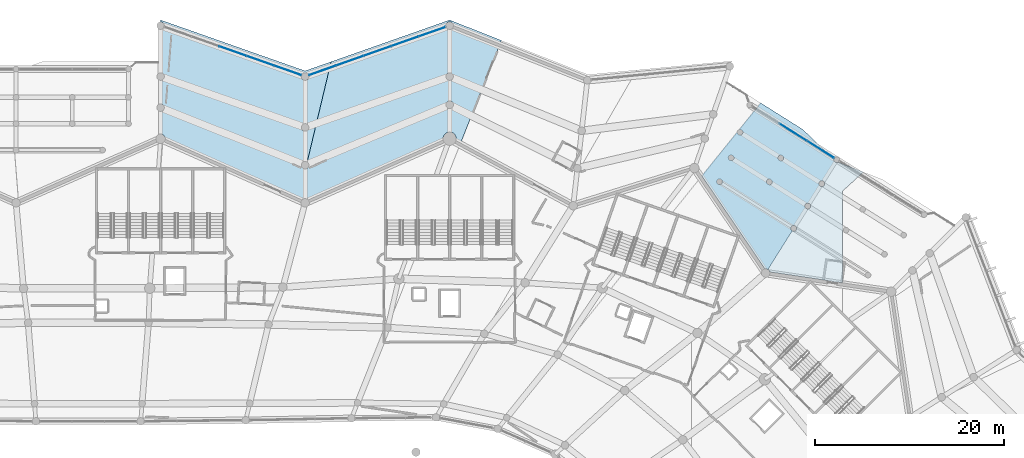
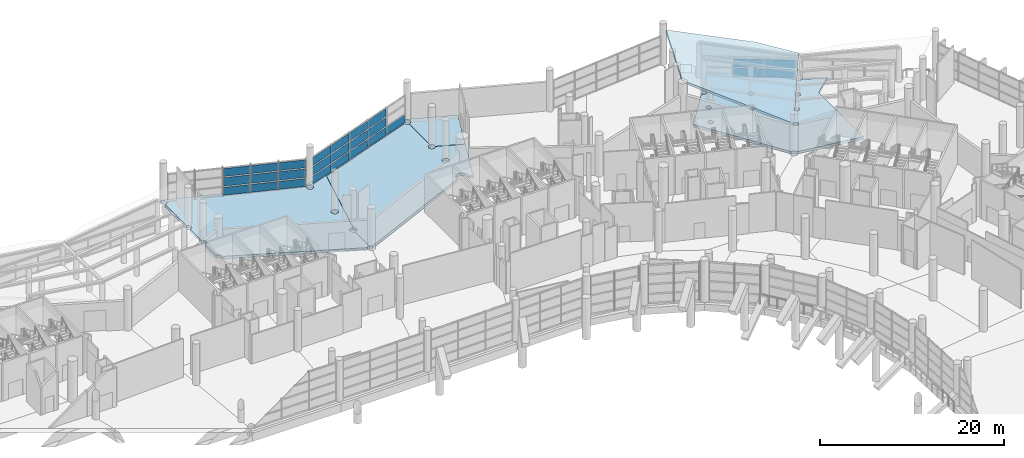
# One storey, part 154 of 271: 26 plates, 5 slabs, 3 elements without a shape of their own.
"""IFC4 building model written with IfcOpenShell, lengths in metres."""

import ifcopenshell
import ifcopenshell.guid

model = None  # the IFC model being written
_history = None  # IfcOwnerHistory: only IFC2X3 demands one
_inside = {}  # id of a spatial element -> (the spatial element, [elements in it])
_under = {}  # id of a project, library or spatial element -> (it, [spatial elements below it])
_declared = {}  # id of a project -> (the project, [libraries it declares])
_typed = {}  # id of a type object -> (the type object, [elements of that type])
_made_of = {}  # id of a material, layer set ... -> (it, [elements and type objects made of it])


def new_model(schema):
    """Start an empty IFC model of exactly this schema.

    Asked for "IFC4X3", IfcOpenShell would pick the latest addendum, in which some entities
    have other attributes; the version numbers below select the first issue.
    IFC2X3 requires an IfcOwnerHistory on every rooted entity: one is made here for all.
    """
    global model, _history
    if schema == "IFC4X3":
        model = ifcopenshell.file(schema_version=(4, 3, 0, 0))
    else:
        model = ifcopenshell.file(schema=schema)
    _inside.clear()
    _under.clear()
    _declared.clear()
    _typed.clear()
    _made_of.clear()
    _history = None
    if model.schema == "IFC2X3":
        org = make("IfcOrganization", Name="unknown")
        user = make(
            "IfcPersonAndOrganization",
            ThePerson=make("IfcPerson", FamilyName="unknown"),
            TheOrganization=org,
        )
        app = make(
            "IfcApplication",
            ApplicationDeveloper=org,
            Version="unknown",
            ApplicationFullName="unknown",
            ApplicationIdentifier="unknown",
        )
        _history = make(
            "IfcOwnerHistory",
            OwningUser=user,
            OwningApplication=app,
            ChangeAction="ADDED",
            CreationDate=0,
        )
    return model


def make(cls, **values):
    """One entity of the class cls with the attributes given. An attribute that is None is left unset."""
    return model.create_entity(
        cls, **{name: value for name, value in values.items() if value is not None}
    )


def rooted(cls, **values):
    """An entity with a GlobalId (a new one), such as an element, a storey or a relation."""
    return make(cls, GlobalId=ifcopenshell.guid.new(), OwnerHistory=_history, **values)


def si_unit(unit_type, name, prefix=None):
    """IfcSIUnit, for example si_unit("LENGTHUNIT", "METRE", prefix="MILLI")."""
    return make("IfcSIUnit", UnitType=unit_type, Prefix=prefix, Name=name)


def assignment(units):
    """IfcUnitAssignment: the units of a project."""
    return None if units is None else make("IfcUnitAssignment", Units=units)


def point(xyz):
    """IfcCartesianPoint."""
    return None if xyz is None else make("IfcCartesianPoint", Coordinates=xyz)


def direction(xyz):
    """IfcDirection."""
    return None if xyz is None else make("IfcDirection", DirectionRatios=xyz)


def frame(location, z_axis=None, x_axis=None):
    """IfcAxis2Placement3D, a coordinate frame: its origin and axes. An axis left out is left unset."""
    return make(
        "IfcAxis2Placement3D",
        Location=point(location),
        Axis=direction(z_axis),
        RefDirection=direction(x_axis),
    )


def frame_2d(location, x_axis=None):
    """IfcAxis2Placement2D, a coordinate frame in the plane: its origin and x axis."""
    return make(
        "IfcAxis2Placement2D", Location=point(location), RefDirection=direction(x_axis)
    )


def origin():
    """The frame at (0, 0, 0) with its axes left unset."""
    return frame((0.0, 0.0, 0.0))


def origin_2d():
    """The frame at (0, 0) in the plane with its x axis left unset."""
    return frame_2d((0.0, 0.0))


def place(relative_to, where):
    """IfcLocalPlacement: puts the frame where relative to a parent placement (None: the world)."""
    return make(
        "IfcLocalPlacement", PlacementRelTo=relative_to, RelativePlacement=where
    )


def context(
    kind, dimensions, precision=None, world=None, true_north=None, identifier=None
):
    """IfcGeometricRepresentationContext, for example the 3D "Model" context."""
    return make(
        "IfcGeometricRepresentationContext",
        ContextIdentifier=identifier,
        ContextType=kind,
        CoordinateSpaceDimension=dimensions,
        Precision=precision,
        WorldCoordinateSystem=world,
        TrueNorth=true_north,
    )


def subcontext(parent, identifier, kind, view, scale=None):
    """IfcGeometricRepresentationSubContext, for example "Body" below "Model"."""
    return make(
        "IfcGeometricRepresentationSubContext",
        ContextIdentifier=identifier,
        ContextType=kind,
        ParentContext=parent,
        TargetScale=scale,
        TargetView=view,
    )


def project(units=None, contexts=None):
    """IfcProject with its units and contexts."""
    return rooted(
        "IfcProject",
        Name="project",
        RepresentationContexts=contexts,
        UnitsInContext=assignment(units),
    )


def spatial(cls, under=None, at=None, **own):
    """A site, building, storey or space (cls), placed at a placement, below another one or the project."""
    s = rooted(cls, ObjectPlacement=at, **own)
    if under is not None:
        _under.setdefault(under.id(), (under, []))[1].append(s)
    return s


def polyline(points):
    """IfcPolyline through the points."""
    return make("IfcPolyline", Points=[point(p) for p in points])


def profile(cls, at=None, kind="AREA", **sizes):
    """A parametric profile (cls). Its sizes go by their IFC names, for example OverallWidth=200.0."""
    return make(cls, ProfileType=kind, Position=at, **sizes)


def rectangle(**sizes):
    """IfcRectangleProfileDef."""
    return profile("IfcRectangleProfileDef", **sizes)


def outline(outer, holes=None, kind="AREA"):
    """IfcArbitraryClosedProfileDef: a profile drawn as a closed curve; with holes, ...WithVoids."""
    if holes is None:
        return make("IfcArbitraryClosedProfileDef", ProfileType=kind, OuterCurve=outer)
    return make(
        "IfcArbitraryProfileDefWithVoids",
        ProfileType=kind,
        OuterCurve=outer,
        InnerCurves=holes,
    )


def extrude(swept, where, along, depth):
    """IfcExtrudedAreaSolid: the profile swept, set in the frame where, extruded along a direction by depth."""
    return make(
        "IfcExtrudedAreaSolid",
        SweptArea=swept,
        Position=where,
        ExtrudedDirection=direction(along),
        Depth=depth,
    )


def shape(context_of_items, identifier, shape_type, items):
    """IfcShapeRepresentation: the items that make up one representation, for example the "Body"."""
    return make(
        "IfcShapeRepresentation",
        ContextOfItems=context_of_items,
        RepresentationIdentifier=identifier,
        RepresentationType=shape_type,
        Items=items,
    )


def material(Name=None, Category=None):
    """IfcMaterial."""
    return make("IfcMaterial", Name=Name, Category=Category)


def layer(
    of_material, thickness, ventilated=None, Name=None, Category=None, Priority=None
):
    """IfcMaterialLayer: one layer of a wall or slab, of a material (None: an air gap)."""
    return make(
        "IfcMaterialLayer",
        Material=of_material,
        LayerThickness=thickness,
        IsVentilated=ventilated,
        Name=Name,
        Category=Category,
        Priority=Priority,
    )


def layer_set(layers, Name=None):
    """IfcMaterialLayerSet."""
    return make("IfcMaterialLayerSet", MaterialLayers=layers, LayerSetName=Name)


def made_of(thing, what):
    """Note that an element or type object is made of a material, layer set ...; save() writes the relation."""
    if what is not None:
        _made_of.setdefault(what.id(), (what, []))[1].append(thing)
    return thing


def type_object(cls, material=None, **own):
    """A type object (cls), such as IfcWallType, which elements share."""
    return made_of(rooted(cls, **own), material)


def element(
    cls,
    number,
    at=None,
    inside=None,
    cuts=None,
    type_object=None,
    material=None,
    context=None,
    identifier="Body",
    shape_type=None,
    held_by="IfcProductDefinitionShape",
    body=None,
    shapes=None,
    **own,
):
    """One element of the class cls, such as IfcWall. Its Tag is "e" and its number.

    at: its placement. inside: the storey or other place that contains it. cuts: it is an
    opening in that element (IfcRelVoidsElement). A single representation is given by context,
    identifier, shape_type and body (its items); several are given by shapes. held_by: the class
    of the entity that holds the representations. save() writes the other relations.
    """
    e = rooted(cls, Tag="e%d" % number, ObjectPlacement=at, **own)
    if body is not None:
        shapes = [shape(context, identifier, shape_type, body)]
    if shapes is not None:
        e.Representation = make(held_by, Representations=shapes)
    if inside is not None:
        _inside.setdefault(inside.id(), (inside, []))[1].append(e)
    if cuts is not None:
        rooted(
            "IfcRelVoidsElement", RelatingBuildingElement=cuts, RelatedOpeningElement=e
        )
    if type_object is not None:
        _typed.setdefault(type_object.id(), (type_object, []))[1].append(e)
    return made_of(e, material)


def aggregate(whole, parts):
    """IfcRelAggregates: a whole, such as a stair, and the parts it consists of."""
    return rooted("IfcRelAggregates", RelatingObject=whole, RelatedObjects=parts)


def save(model, path):
    """Write the relations noted so far, then the file.

    IfcRelAggregates (storeys below a building ...), IfcRelContainedInSpatialStructure (elements
    in a storey), IfcRelDefinesByType, IfcRelAssociatesMaterial and IfcRelDeclares: one each for
    every whole, place, type object, material and project.
    """
    for whole, parts in _under.values():
        aggregate(whole, parts)
    for where, things in _inside.values():
        rooted(
            "IfcRelContainedInSpatialStructure",
            RelatedElements=things,
            RelatingStructure=where,
        )
    for kind, things in _typed.values():
        rooted("IfcRelDefinesByType", RelatedObjects=things, RelatingType=kind)
    for what, things in _made_of.values():
        rooted("IfcRelAssociatesMaterial", RelatedObjects=things, RelatingMaterial=what)
    for by, libraries in _declared.values():
        rooted("IfcRelDeclares", RelatingContext=by, RelatedDefinitions=libraries)
    model.write(path)


model = new_model("IFC4")

# Units and contexts
model_context = context("Model", 3, precision=1e-05, world=origin(), true_north=direction((0.0, 1.0)))
body_context = subcontext(model_context, "Body", "Model", "MODEL_VIEW")
ifc_project = project(units=[si_unit("LENGTHUNIT", "METRE"), si_unit("AREAUNIT", "SQUARE_METRE"), si_unit("VOLUMEUNIT", "CUBIC_METRE"), si_unit("PLANEANGLEUNIT", "RADIAN"), si_unit("MASSUNIT", "GRAM", prefix="KILO")], contexts=[model_context])

# Site, building, storey
site_placement = place(None, origin())
site = spatial("IfcSite", under=ifc_project, at=site_placement, CompositionType="ELEMENT")
building_placement = place(site_placement, origin())
building = spatial("IfcBuilding", under=site, at=building_placement, Name="Meseta Stadium", CompositionType="ELEMENT")
storey_placement = place(building_placement, frame((0.0, 0.0, 6.5)))
storey = spatial("IfcBuildingStorey", under=building, at=storey_placement, Name="L01", CompositionType="ELEMENT", Elevation=6.5)

# Slabs
ifc_material_1 = material(Name="Concrete C40/50", Category="concrete")
ifc_layer_1 = layer(ifc_material_1, 0.35009765625)
ifc_layer_set_1 = layer_set([ifc_layer_1], Name="Floor slab 350")
slab_type_1 = type_object("IfcSlabType", Name="Floor slab 350", PredefinedType="FLOOR", material=ifc_layer_set_1)
slab_1_placement = place(storey_placement, frame((0.0, 0.0, -0.35009765625)))
element("IfcSlab", 1, at=slab_1_placement, inside=storey, type_object=slab_type_1, Name="Ring floor slab L01 2 panel 01", PredefinedType="FLOOR", context=body_context, shape_type="SweptSolid", body=[
    extrude(outline(polyline([(25.7548828125, 113.5703125), (23.0, 112.60009765625), (7.666748046875, 118.0), (7.666748046875, 117.803466796875), (7.77099609375, 117.789794921875), (7.868408203125, 117.74951171875), (7.951904296875, 117.685302734375), (8.01611328125, 117.601806640625), (8.056396484375, 117.50439453125), (8.070068359375, 117.39990234375), (8.056396484375, 117.295654296875), (8.04443359375, 117.266845703125), (8.01611328125, 117.1982421875), (7.951904296875, 117.11474609375), (7.868408203125, 117.050537109375), (7.77099609375, 117.01025390625), (7.666748046875, 116.99658203125), (7.666748046875, 112.403564453125), (7.77099609375, 112.3896484375), (7.868408203125, 112.349365234375), (7.951904296875, 112.285400390625), (8.01611328125, 112.20166015625), (8.056396484375, 112.1044921875), (8.070068359375, 112.0), (8.056396484375, 111.8955078125), (8.01611328125, 111.79833984375), (7.951904296875, 111.714599609375), (7.868408203125, 111.650634765625), (7.77099609375, 111.6103515625), (7.666748046875, 111.596435546875), (7.666748046875, 109.103515625), (7.77099609375, 109.089599609375), (7.868408203125, 109.04931640625), (7.951904296875, 108.9853515625), (8.01611328125, 108.901611328125), (8.056396484375, 108.804443359375), (8.070068359375, 108.699951171875), (8.056396484375, 108.595703125), (8.038330078125, 108.552001953125), (8.01611328125, 108.498291015625), (7.951904296875, 108.414794921875), (7.868408203125, 108.3505859375), (7.77099609375, 108.310302734375), (7.666748046875, 108.29638671875), (7.666748046875, 105.904296875), (7.797119140625, 105.88720703125), (7.918701171875, 105.836669921875), (8.023193359375, 105.756591796875), (8.103515625, 105.652099609375), (8.15380859375, 105.530517578125), (8.1708984375, 105.39990234375), (8.16357421875, 105.34375), (22.670654296875, 98.91015625), (22.67919921875, 98.9208984375), (22.773193359375, 98.9931640625), (22.882568359375, 99.038330078125), (23.0, 99.053955078125), (23.0, 102.196533203125), (22.8955078125, 102.210205078125), (22.79833984375, 102.25048828125), (22.714599609375, 102.314697265625), (22.650634765625, 102.398193359375), (22.6103515625, 102.49560546875), (22.596435546875, 102.60009765625), (22.6103515625, 102.704345703125), (22.650634765625, 102.8017578125), (22.714599609375, 102.88525390625), (22.79833984375, 102.949462890625), (22.8955078125, 102.98974609375), (23.0, 103.00341796875), (23.1044921875, 102.98974609375), (23.20166015625, 102.949462890625), (23.222412109375, 102.93359375), (25.7548828125, 113.5703125)]), holes=[polyline([(22.6103515625, 112.1044921875), (22.622314453125, 112.133056640625), (22.650634765625, 112.20166015625), (22.714599609375, 112.285400390625), (22.79833984375, 112.349365234375), (22.8955078125, 112.3896484375), (23.0, 112.403564453125), (23.1044921875, 112.3896484375), (23.20166015625, 112.349365234375), (23.285400390625, 112.285400390625), (23.349365234375, 112.20166015625), (23.3896484375, 112.1044921875), (23.403564453125, 112.0), (23.3896484375, 111.8955078125), (23.349365234375, 111.79833984375), (23.285400390625, 111.714599609375), (23.20166015625, 111.650634765625), (23.1044921875, 111.6103515625), (23.0, 111.596435546875), (22.8955078125, 111.6103515625), (22.79833984375, 111.650634765625), (22.714599609375, 111.714599609375), (22.650634765625, 111.79833984375), (22.6103515625, 111.8955078125), (22.596435546875, 112.0), (22.6103515625, 112.1044921875)]), polyline([(23.3896484375, 106.704345703125), (23.403564453125, 106.60009765625), (23.3896484375, 106.49560546875), (23.349365234375, 106.398193359375), (23.285400390625, 106.314697265625), (23.20166015625, 106.25048828125), (23.1044921875, 106.210205078125), (23.0, 106.196533203125), (22.8955078125, 106.210205078125), (22.79833984375, 106.25048828125), (22.714599609375, 106.314697265625), (22.650634765625, 106.398193359375), (22.6103515625, 106.49560546875), (22.596435546875, 106.60009765625), (22.6103515625, 106.704345703125), (22.650634765625, 106.8017578125), (22.714599609375, 106.88525390625), (22.79833984375, 106.949462890625), (22.8955078125, 106.98974609375), (23.0, 107.00341796875), (23.1044921875, 106.98974609375), (23.20166015625, 106.949462890625), (23.285400390625, 106.88525390625), (23.349365234375, 106.8017578125), (23.3896484375, 106.704345703125)])]), origin(), (0.0, 0.0, 1.0), 0.35009765625),
])
slab_2_placement = place(storey_placement, frame((0.0, 0.0, -0.35009765625)))
element("IfcSlab", 2, at=slab_2_placement, inside=storey, type_object=slab_type_1, Name="Ring floor slab L01 2 panel 02", PredefinedType="FLOOR", context=body_context, shape_type="SweptSolid", body=[
    extrude(outline(polyline([(23.1044921875, 102.210205078125), (23.0, 102.196533203125), (23.0, 99.053955078125), (23.117431640625, 99.038330078125), (23.226806640625, 98.9931640625), (23.32080078125, 98.9208984375), (23.329345703125, 98.91015625), (37.645751953125, 105.25927734375), (37.627197265625, 105.39990234375), (37.6513671875, 105.582763671875), (37.721923828125, 105.7529296875), (37.833984375, 105.899169921875), (37.980224609375, 106.011474609375), (38.150634765625, 106.08203125), (38.333251953125, 106.10595703125), (38.51611328125, 106.08203125), (38.686279296875, 106.011474609375), (38.83251953125, 105.899169921875), (38.94482421875, 105.7529296875), (39.015380859375, 105.582763671875), (39.039306640625, 105.39990234375), (39.015380859375, 105.21728515625), (39.009765625, 105.203857421875), (39.49951171875, 104.9384765625), (41.7451171875, 110.59765625), (38.703369140625, 111.847900390625), (38.6826171875, 111.79833984375), (38.61865234375, 111.714599609375), (38.53515625, 111.650634765625), (38.437744140625, 111.6103515625), (38.333251953125, 111.596435546875), (38.22900390625, 111.6103515625), (38.131591796875, 111.650634765625), (38.048095703125, 111.714599609375), (37.98388671875, 111.79833984375), (37.943603515625, 111.8955078125), (37.929931640625, 112.0), (37.943603515625, 112.1044921875), (37.98388671875, 112.20166015625), (38.048095703125, 112.285400390625), (38.131591796875, 112.349365234375), (38.22900390625, 112.3896484375), (38.333251953125, 112.403564453125), (38.333251953125, 116.99658203125), (38.22900390625, 117.01025390625), (38.131591796875, 117.050537109375), (38.048095703125, 117.11474609375), (37.98388671875, 117.1982421875), (37.95556640625, 117.266845703125), (25.598876953125, 112.915283203125), (23.222412109375, 102.93359375), (23.285400390625, 102.88525390625), (23.349365234375, 102.8017578125), (23.3896484375, 102.704345703125), (23.403564453125, 102.60009765625), (23.3896484375, 102.49560546875), (23.349365234375, 102.398193359375), (23.285400390625, 102.314697265625), (23.20166015625, 102.25048828125), (23.1044921875, 102.210205078125)]), holes=[polyline([(37.98388671875, 109.20166015625), (38.048095703125, 109.285400390625), (38.131591796875, 109.349365234375), (38.22900390625, 109.3896484375), (38.333251953125, 109.403564453125), (38.437744140625, 109.3896484375), (38.53515625, 109.349365234375), (38.61865234375, 109.285400390625), (38.6826171875, 109.20166015625), (38.722900390625, 109.1044921875), (38.73681640625, 109.0), (38.722900390625, 108.8955078125), (38.6826171875, 108.79833984375), (38.61865234375, 108.714599609375), (38.53515625, 108.650634765625), (38.437744140625, 108.6103515625), (38.333251953125, 108.596435546875), (38.22900390625, 108.6103515625), (38.131591796875, 108.650634765625), (38.048095703125, 108.714599609375), (37.98388671875, 108.79833984375), (37.943603515625, 108.8955078125), (37.929931640625, 109.0), (37.943603515625, 109.1044921875), (37.98388671875, 109.20166015625)])]), origin(), (0.0, 0.0, 1.0), 0.35009765625),
])
slab_3_placement = place(storey_placement, frame((0.0, 0.0, -0.35009765625)))
element("IfcSlab", 3, at=slab_3_placement, inside=storey, type_object=slab_type_1, Name="Ring floor slab L01 2 panel 03", PredefinedType="FLOOR", context=body_context, shape_type="SweptSolid", body=[
    extrude(outline(polyline([(41.7451171875, 110.59765625), (43.822509765625, 115.8330078125), (38.333251953125, 118.0), (25.7548828125, 113.5703125), (25.598876953125, 112.915283203125), (37.95556640625, 117.266845703125), (37.943603515625, 117.295654296875), (37.929931640625, 117.39990234375), (37.943603515625, 117.50439453125), (37.98388671875, 117.601806640625), (38.048095703125, 117.685302734375), (38.131591796875, 117.74951171875), (38.22900390625, 117.789794921875), (38.333251953125, 117.803466796875), (38.437744140625, 117.789794921875), (38.53515625, 117.74951171875), (38.61865234375, 117.685302734375), (38.6826171875, 117.601806640625), (38.722900390625, 117.50439453125), (38.73681640625, 117.39990234375), (38.722900390625, 117.295654296875), (38.705078125, 117.252685546875), (38.6826171875, 117.1982421875), (38.61865234375, 117.11474609375), (38.53515625, 117.050537109375), (38.437744140625, 117.01025390625), (38.333251953125, 116.99658203125), (38.333251953125, 112.403564453125), (38.437744140625, 112.3896484375), (38.53515625, 112.349365234375), (38.61865234375, 112.285400390625), (38.6826171875, 112.20166015625), (38.722900390625, 112.1044921875), (38.73681640625, 112.0), (38.722900390625, 111.8955078125), (38.703369140625, 111.847900390625), (41.7451171875, 110.59765625)])), origin(), (0.0, 0.0, 1.0), 0.35009765625),
])
slab_4_placement = place(storey_placement, frame((0.0, 0.0, -0.35009765625)))
element("IfcSlab", 4, at=slab_4_placement, inside=storey, type_object=slab_type_1, Name="Gate hall floor slab 2 part 2 panel 01", PredefinedType="FLOOR", context=body_context, shape_type="SweptSolid", body=[
    extrude(outline(polyline([(80.0, 90.123779296875), (80.0, 99.828369140625), (82.230224609375, 101.869873046875), (79.5537109375, 102.908447265625), (79.489990234375, 102.882080078125), (79.41162109375, 102.87158203125), (79.333251953125, 102.882080078125), (79.26025390625, 102.912109375), (79.19775390625, 102.960205078125), (79.149658203125, 103.02294921875), (79.119384765625, 103.095947265625), (79.10888671875, 103.17431640625), (79.111328125, 103.19189453125), (75.799560546875, 106.388916015625), (71.34375, 109.1884765625), (69.07861328125, 106.3818359375), (69.137451171875, 106.389404296875), (69.2158203125, 106.379150390625), (69.288818359375, 106.348876953125), (69.351318359375, 106.30078125), (69.3994140625, 106.23828125), (69.4296875, 106.165283203125), (69.440185546875, 106.0869140625), (69.4296875, 106.008544921875), (69.3994140625, 105.935546875), (69.351318359375, 105.872802734375), (69.288818359375, 105.82470703125), (69.2158203125, 105.794677734375), (69.137451171875, 105.7841796875), (69.05908203125, 105.794677734375), (68.986083984375, 105.82470703125), (68.923583984375, 105.872802734375), (68.87548828125, 105.935546875), (68.84521484375, 106.008544921875), (68.835693359375, 106.080810546875), (65.091552734375, 101.44140625), (71.773681640625, 91.59375), (71.856689453125, 91.604736328125), (71.97412109375, 91.589111328125), (72.083740234375, 91.5439453125), (72.177734375, 91.4716796875), (72.249755859375, 91.377685546875), (72.29541015625, 91.267578125), (80.0, 90.123779296875)]), holes=[polyline([(77.6015625, 100.420166015625), (77.553466796875, 100.48291015625), (77.523193359375, 100.555908203125), (77.512939453125, 100.634033203125), (77.523193359375, 100.71240234375), (77.553466796875, 100.785400390625), (77.6015625, 100.84814453125), (77.664306640625, 100.896240234375), (77.7373046875, 100.926513671875), (77.8154296875, 100.936767578125), (77.893798828125, 100.926513671875), (77.966796875, 100.896240234375), (78.029541015625, 100.84814453125), (78.07763671875, 100.785400390625), (78.10791015625, 100.71240234375), (78.1181640625, 100.634033203125), (78.10791015625, 100.555908203125), (78.07763671875, 100.48291015625), (78.029541015625, 100.420166015625), (77.966796875, 100.3720703125), (77.893798828125, 100.341796875), (77.8154296875, 100.33154296875), (77.7373046875, 100.341796875), (77.664306640625, 100.3720703125), (77.6015625, 100.420166015625)]), polyline([(73.262451171875, 103.146484375), (73.21435546875, 103.209228515625), (73.18408203125, 103.2822265625), (73.173828125, 103.360595703125), (73.18408203125, 103.438720703125), (73.21435546875, 103.51171875), (73.262451171875, 103.574462890625), (73.3251953125, 103.62255859375), (73.398193359375, 103.65283203125), (73.4765625, 103.6630859375), (73.5546875, 103.65283203125), (73.627685546875, 103.62255859375), (73.6904296875, 103.574462890625), (73.738525390625, 103.51171875), (73.768798828125, 103.438720703125), (73.779052734375, 103.360595703125), (73.768798828125, 103.2822265625), (73.738525390625, 103.209228515625), (73.6904296875, 103.146484375), (73.627685546875, 103.098388671875), (73.5546875, 103.068115234375), (73.4765625, 103.057861328125), (73.398193359375, 103.068115234375), (73.3251953125, 103.098388671875), (73.262451171875, 103.146484375)]), polyline([(76.539794921875, 98.477294921875), (76.587890625, 98.41455078125), (76.6181640625, 98.341552734375), (76.62841796875, 98.26318359375), (76.6181640625, 98.18505859375), (76.587890625, 98.112060546875), (76.539794921875, 98.04931640625), (76.47705078125, 98.001220703125), (76.404052734375, 97.970947265625), (76.32568359375, 97.960693359375), (76.24755859375, 97.970947265625), (76.174560546875, 98.001220703125), (76.11181640625, 98.04931640625), (76.063720703125, 98.112060546875), (76.03369140625, 98.18505859375), (76.023193359375, 98.26318359375), (76.03369140625, 98.341552734375), (76.063720703125, 98.41455078125), (76.11181640625, 98.477294921875), (76.174560546875, 98.525390625), (76.24755859375, 98.5556640625), (76.32568359375, 98.56591796875), (76.404052734375, 98.5556640625), (76.47705078125, 98.525390625), (76.539794921875, 98.477294921875)]), polyline([(75.12841796875, 95.814208984375), (75.09814453125, 95.7412109375), (75.050048828125, 95.678466796875), (74.9873046875, 95.63037109375), (74.91455078125, 95.60009765625), (74.836181640625, 95.58984375), (74.7578125, 95.60009765625), (74.684814453125, 95.63037109375), (74.622314453125, 95.678466796875), (74.57421875, 95.7412109375), (74.5439453125, 95.814208984375), (74.533447265625, 95.892578125), (74.5439453125, 95.970703125), (74.57421875, 96.043701171875), (74.622314453125, 96.1064453125), (74.684814453125, 96.154541015625), (74.7578125, 96.184814453125), (74.836181640625, 96.195068359375), (74.91455078125, 96.184814453125), (74.9873046875, 96.154541015625), (75.050048828125, 96.1064453125), (75.09814453125, 96.043701171875), (75.12841796875, 95.970703125), (75.138671875, 95.892578125), (75.12841796875, 95.814208984375)]), polyline([(72.17919921875, 100.52734375), (72.106201171875, 100.5576171875), (72.04345703125, 100.605712890625), (71.995361328125, 100.66845703125), (71.965087890625, 100.7412109375), (71.954833984375, 100.819580078125), (71.965087890625, 100.89794921875), (71.995361328125, 100.970947265625), (72.04345703125, 101.03369140625), (72.106201171875, 101.081787109375), (72.17919921875, 101.11181640625), (72.25732421875, 101.122314453125), (72.335693359375, 101.11181640625), (72.40869140625, 101.081787109375), (72.47119140625, 101.03369140625), (72.519287109375, 100.970947265625), (72.549560546875, 100.89794921875), (72.56005859375, 100.819580078125), (72.549560546875, 100.7412109375), (72.519287109375, 100.66845703125), (72.47119140625, 100.605712890625), (72.40869140625, 100.5576171875), (72.335693359375, 100.52734375), (72.25732421875, 100.51708984375), (72.17919921875, 100.52734375)]), polyline([(67.031005859375, 101.13818359375), (67.10400390625, 101.10791015625), (67.166748046875, 101.059814453125), (67.21484375, 100.997314453125), (67.2451171875, 100.92431640625), (67.25537109375, 100.845947265625), (67.2451171875, 100.767578125), (67.21484375, 100.694580078125), (67.166748046875, 100.6318359375), (67.10400390625, 100.583740234375), (67.031005859375, 100.5537109375), (66.952880859375, 100.543212890625), (66.87451171875, 100.5537109375), (66.801513671875, 100.583740234375), (66.73876953125, 100.6318359375), (66.69091796875, 100.694580078125), (66.660400390625, 100.767578125), (66.650146484375, 100.845947265625), (66.660400390625, 100.92431640625), (66.69091796875, 100.997314453125), (66.73876953125, 101.059814453125), (66.801513671875, 101.10791015625), (66.87451171875, 101.13818359375), (66.952880859375, 101.1484375), (67.031005859375, 101.13818359375)]), polyline([(68.26708984375, 103.668212890625), (68.340087890625, 103.63818359375), (68.40283203125, 103.590087890625), (68.450927734375, 103.52734375), (68.481201171875, 103.454345703125), (68.491455078125, 103.3759765625), (68.481201171875, 103.297607421875), (68.450927734375, 103.224609375), (68.40283203125, 103.162109375), (68.340087890625, 103.114013671875), (68.26708984375, 103.083740234375), (68.18896484375, 103.073486328125), (68.110595703125, 103.083740234375), (68.03759765625, 103.114013671875), (67.974853515625, 103.162109375), (67.927001953125, 103.224609375), (67.896484375, 103.297607421875), (67.88623046875, 103.3759765625), (67.896484375, 103.454345703125), (67.927001953125, 103.52734375), (67.974853515625, 103.590087890625), (68.03759765625, 103.63818359375), (68.110595703125, 103.668212890625), (68.18896484375, 103.6787109375), (68.26708984375, 103.668212890625)])]), origin(), (0.0, 0.0, 1.0), 0.35009765625),
])
ifc_material_2 = material(Name="Concrete C40/50", Category="concrete")
ifc_layer_2 = layer(ifc_material_2, 0.300048828125)
ifc_layer_set_2 = layer_set([ifc_layer_2], Name="Gate roof plate 300")
slab_type_2 = type_object("IfcSlabType", Name="Gate roof plate 300", PredefinedType="ROOF", material=ifc_layer_set_2)
slab_5_placement = place(storey_placement, frame((67.5458984375, 111.57470703125, 5.578857421875), z_axis=(0.127905909661, -0.056974276691, 0.9901484788), x_axis=(-0.330244069946, -0.943823697714, -0.011648257379)))
element("IfcSlab", 5, at=slab_5_placement, inside=storey, type_object=slab_type_2, Name="Gate 2 butterfly roof wing", PredefinedType="ROOF", context=body_context, shape_type="SweptSolid", body=[
    extrude(outline(polyline([(0.0, 0.0), (9.611993342507278, 8.673617379884035e-16), (17.681674333748443, 10.965226032702027), (4.2284102786741276, 14.067409656275064), (2.1846463987364255, 9.597146381249619), (0.0, 0.0)])), origin(), (0.0, 0.0, -1.0), 0.300048828125),
])

# Curtain wall, plates
ifc_material_3 = material(Name="Aluminium", Category="aluminium")
ifc_layer_3 = layer(ifc_material_3, 0.199951171875)
ifc_layer_set_3 = layer_set([ifc_layer_3], Name="Ring shopfront curtain wall")
curtain_wall_type_1 = type_object("IfcCurtainWallType", Name="Ring shopfront curtain wall", PredefinedType="NOTDEFINED", material=ifc_layer_set_3)
curtain_wall_1_placement = place(storey_placement, origin())
curtain_wall_1 = element("IfcCurtainWall", 6, at=curtain_wall_1_placement, inside=storey, type_object=curtain_wall_type_1, Name="Ring glazing L01 F16", PredefinedType="NOTDEFINED")
ifc_material_4 = material(Name="Glass", Category="glass")
ifc_layer_4 = layer(ifc_material_4, 0.035888671875)
ifc_layer_set_4 = layer_set([ifc_layer_4], Name="Ring CW glass panel 36")
plate_type = type_object("IfcPlateType", Name="Ring CW glass panel 36", PredefinedType="CURTAIN_PANEL", material=ifc_layer_set_4)
plate_1_placement = place(storey_placement, frame((36.48388671875, 116.748779296875, 0.14990234375), z_axis=(0.0, 0.0, 1.0), x_axis=(-0.943218009999, -0.332174330154, 0.0)))
plate_1 = element("IfcPlate", 7, at=plate_1_placement, type_object=plate_type, Name="CWR1 panel 1.1", PredefinedType="CURTAIN_PANEL", context=body_context, shape_type="SweptSolid", body=[
    extrude(rectangle(XDim=3.001220703125, YDim=0.035888671875, at=origin_2d()), origin(), (0.0, 0.0, 1.0), 1.058349609375),
])
plate_2_placement = place(storey_placement, frame((33.582275390625, 115.726806640625, 0.14990234375), z_axis=(0.0, 0.0, 1.0), x_axis=(-0.943218009999, -0.332174330154, 0.0)))
plate_2 = element("IfcPlate", 8, at=plate_2_placement, type_object=plate_type, Name="CWR1 panel 2.1", PredefinedType="CURTAIN_PANEL", context=body_context, shape_type="SweptSolid", body=[
    extrude(rectangle(XDim=3.03125, YDim=0.035888671875, at=origin_2d()), origin(), (0.0, 0.0, 1.0), 1.058349609375),
])
plate_3_placement = place(storey_placement, frame((33.582275390625, 115.726806640625, 1.3583984375), z_axis=(0.0, 0.0, 1.0), x_axis=(-0.943218009999, -0.332174330154, 0.0)))
plate_3 = element("IfcPlate", 9, at=plate_3_placement, type_object=plate_type, Name="CWR1 panel 2.2", PredefinedType="CURTAIN_PANEL", context=body_context, shape_type="SweptSolid", body=[
    extrude(rectangle(XDim=3.03125, YDim=0.035888671875, at=origin_2d()), origin(), (0.0, 0.0, 1.0), 1.13330078125),
])
plate_4_placement = place(storey_placement, frame((33.582275390625, 115.726806640625, 2.6416015625), z_axis=(0.0, 0.0, 1.0), x_axis=(-0.943218009999, -0.332174330154, 0.0)))
plate_4 = element("IfcPlate", 10, at=plate_4_placement, type_object=plate_type, Name="CWR1 panel 2.3", PredefinedType="CURTAIN_PANEL", context=body_context, shape_type="SweptSolid", body=[
    extrude(rectangle(XDim=3.03125, YDim=0.035888671875, at=origin_2d()), origin(), (0.0, 0.0, 1.0), 1.058349609375),
])
plate_5_placement = place(storey_placement, frame((30.666748046875, 114.699951171875, 0.14990234375), z_axis=(0.0, 0.0, 1.0), x_axis=(-0.943218009999, -0.332174330154, 0.0)))
plate_5 = element("IfcPlate", 11, at=plate_5_placement, type_object=plate_type, Name="CWR1 panel 3.1", PredefinedType="CURTAIN_PANEL", context=body_context, shape_type="SweptSolid", body=[
    extrude(rectangle(XDim=3.03125, YDim=0.035888671875, at=origin_2d()), origin(), (0.0, 0.0, 1.0), 1.058349609375),
])
plate_6_placement = place(storey_placement, frame((30.666748046875, 114.699951171875, 1.3583984375), z_axis=(0.0, 0.0, 1.0), x_axis=(-0.943218009999, -0.332174330154, 0.0)))
plate_6 = element("IfcPlate", 12, at=plate_6_placement, type_object=plate_type, Name="CWR1 panel 3.2", PredefinedType="CURTAIN_PANEL", context=body_context, shape_type="SweptSolid", body=[
    extrude(rectangle(XDim=3.03125, YDim=0.035888671875, at=origin_2d()), origin(), (0.0, 0.0, 1.0), 1.13330078125),
])
plate_7_placement = place(storey_placement, frame((30.666748046875, 114.699951171875, 2.6416015625), z_axis=(0.0, 0.0, 1.0), x_axis=(-0.943218009999, -0.332174330154, 0.0)))
plate_7 = element("IfcPlate", 13, at=plate_7_placement, type_object=plate_type, Name="CWR1 panel 3.3", PredefinedType="CURTAIN_PANEL", context=body_context, shape_type="SweptSolid", body=[
    extrude(rectangle(XDim=3.03125, YDim=0.035888671875, at=origin_2d()), origin(), (0.0, 0.0, 1.0), 1.058349609375),
])
plate_8_placement = place(storey_placement, frame((27.7509765625, 113.673095703125, 0.14990234375), z_axis=(0.0, 0.0, 1.0), x_axis=(-0.943218009999, -0.332174330154, 0.0)))
plate_8 = element("IfcPlate", 14, at=plate_8_placement, type_object=plate_type, Name="CWR1 panel 4.1", PredefinedType="CURTAIN_PANEL", context=body_context, shape_type="SweptSolid", body=[
    extrude(rectangle(XDim=3.03125, YDim=0.035888671875, at=origin_2d()), origin(), (0.0, 0.0, 1.0), 1.058349609375),
])
plate_9_placement = place(storey_placement, frame((27.7509765625, 113.673095703125, 1.3583984375), z_axis=(0.0, 0.0, 1.0), x_axis=(-0.943218009999, -0.332174330154, 0.0)))
plate_9 = element("IfcPlate", 15, at=plate_9_placement, type_object=plate_type, Name="CWR1 panel 4.2", PredefinedType="CURTAIN_PANEL", context=body_context, shape_type="SweptSolid", body=[
    extrude(rectangle(XDim=3.03125, YDim=0.035888671875, at=origin_2d()), origin(), (0.0, 0.0, 1.0), 1.13330078125),
])
plate_10_placement = place(storey_placement, frame((27.7509765625, 113.673095703125, 2.6416015625), z_axis=(0.0, 0.0, 1.0), x_axis=(-0.943218009999, -0.332174330154, 0.0)))
plate_10 = element("IfcPlate", 16, at=plate_10_placement, type_object=plate_type, Name="CWR1 panel 4.3", PredefinedType="CURTAIN_PANEL", context=body_context, shape_type="SweptSolid", body=[
    extrude(rectangle(XDim=3.03125, YDim=0.035888671875, at=origin_2d()), origin(), (0.0, 0.0, 1.0), 1.058349609375),
])
plate_11_placement = place(storey_placement, frame((24.849365234375, 112.6513671875, 0.14990234375), z_axis=(0.0, 0.0, 1.0), x_axis=(-0.943218009999, -0.332174330154, 0.0)))
plate_11 = element("IfcPlate", 17, at=plate_11_placement, type_object=plate_type, Name="CWR1 panel 5.1", PredefinedType="CURTAIN_PANEL", context=body_context, shape_type="SweptSolid", body=[
    extrude(rectangle(XDim=3.001220703125, YDim=0.035888671875, at=origin_2d()), origin(), (0.0, 0.0, 1.0), 1.058349609375),
])
plate_12_placement = place(storey_placement, frame((24.849365234375, 112.6513671875, 1.3583984375), z_axis=(0.0, 0.0, 1.0), x_axis=(-0.943218009999, -0.332174330154, 0.0)))
plate_12 = element("IfcPlate", 18, at=plate_12_placement, type_object=plate_type, Name="CWR1 panel 5.2", PredefinedType="CURTAIN_PANEL", context=body_context, shape_type="SweptSolid", body=[
    extrude(rectangle(XDim=3.001220703125, YDim=0.035888671875, at=origin_2d()), origin(), (0.0, 0.0, 1.0), 1.13330078125),
])
plate_13_placement = place(storey_placement, frame((24.849365234375, 112.6513671875, 2.6416015625), z_axis=(0.0, 0.0, 1.0), x_axis=(-0.943218009999, -0.332174330154, 0.0)))
plate_13 = element("IfcPlate", 19, at=plate_13_placement, type_object=plate_type, Name="CWR1 panel 5.3", PredefinedType="CURTAIN_PANEL", context=body_context, shape_type="SweptSolid", body=[
    extrude(rectangle(XDim=3.001220703125, YDim=0.035888671875, at=origin_2d()), origin(), (0.0, 0.0, 1.0), 1.058349609375),
])
aggregate(curtain_wall_1, [plate_1, plate_2, plate_3, plate_4, plate_5, plate_6, plate_7, plate_8, plate_9, plate_10, plate_11, plate_12, plate_13])

curtain_wall_2_placement = place(storey_placement, origin())
curtain_wall_2 = element("IfcCurtainWall", 20, at=curtain_wall_2_placement, inside=storey, type_object=curtain_wall_type_1, Name="Ring glazing L01 F17", PredefinedType="NOTDEFINED")
plate_14_placement = place(storey_placement, frame((21.150634765625, 112.6513671875, 0.14990234375), z_axis=(0.0, 0.0, 1.0), x_axis=(-0.943218009999, 0.332174330154, 0.0)))
plate_14 = element("IfcPlate", 21, at=plate_14_placement, type_object=plate_type, Name="CWR1 panel 1.1", PredefinedType="CURTAIN_PANEL", context=body_context, shape_type="SweptSolid", body=[
    extrude(rectangle(XDim=3.001220703125, YDim=0.035888671875, at=origin_2d()), origin(), (0.0, 0.0, 1.0), 1.058349609375),
])
plate_15_placement = place(storey_placement, frame((21.150634765625, 112.6513671875, 1.3583984375), z_axis=(0.0, 0.0, 1.0), x_axis=(-0.943218009999, 0.332174330154, 0.0)))
plate_15 = element("IfcPlate", 22, at=plate_15_placement, type_object=plate_type, Name="CWR1 panel 1.2", PredefinedType="CURTAIN_PANEL", context=body_context, shape_type="SweptSolid", body=[
    extrude(rectangle(XDim=3.001220703125, YDim=0.035888671875, at=origin_2d()), origin(), (0.0, 0.0, 1.0), 1.13330078125),
])
plate_16_placement = place(storey_placement, frame((21.150634765625, 112.6513671875, 2.6416015625), z_axis=(0.0, 0.0, 1.0), x_axis=(-0.943218009999, 0.332174330154, 0.0)))
plate_16 = element("IfcPlate", 23, at=plate_16_placement, type_object=plate_type, Name="CWR1 panel 1.3", PredefinedType="CURTAIN_PANEL", context=body_context, shape_type="SweptSolid", body=[
    extrude(rectangle(XDim=3.001220703125, YDim=0.035888671875, at=origin_2d()), origin(), (0.0, 0.0, 1.0), 1.058349609375),
])
plate_17_placement = place(storey_placement, frame((18.2490234375, 113.673095703125, 0.14990234375), z_axis=(0.0, 0.0, 1.0), x_axis=(-0.943218009999, 0.332174330154, 0.0)))
plate_17 = element("IfcPlate", 24, at=plate_17_placement, type_object=plate_type, Name="CWR1 panel 2.1", PredefinedType="CURTAIN_PANEL", context=body_context, shape_type="SweptSolid", body=[
    extrude(rectangle(XDim=3.03125, YDim=0.035888671875, at=origin_2d()), origin(), (0.0, 0.0, 1.0), 1.058349609375),
])
plate_18_placement = place(storey_placement, frame((18.2490234375, 113.673095703125, 1.3583984375), z_axis=(0.0, 0.0, 1.0), x_axis=(-0.943218009999, 0.332174330154, 0.0)))
plate_18 = element("IfcPlate", 25, at=plate_18_placement, type_object=plate_type, Name="CWR1 panel 2.2", PredefinedType="CURTAIN_PANEL", context=body_context, shape_type="SweptSolid", body=[
    extrude(rectangle(XDim=3.03125, YDim=0.035888671875, at=origin_2d()), origin(), (0.0, 0.0, 1.0), 1.13330078125),
])
plate_19_placement = place(storey_placement, frame((18.2490234375, 113.673095703125, 2.6416015625), z_axis=(0.0, 0.0, 1.0), x_axis=(-0.943218009999, 0.332174330154, 0.0)))
plate_19 = element("IfcPlate", 26, at=plate_19_placement, type_object=plate_type, Name="CWR1 panel 2.3", PredefinedType="CURTAIN_PANEL", context=body_context, shape_type="SweptSolid", body=[
    extrude(rectangle(XDim=3.03125, YDim=0.035888671875, at=origin_2d()), origin(), (0.0, 0.0, 1.0), 1.058349609375),
])
plate_20_placement = place(storey_placement, frame((15.333251953125, 114.699951171875, 0.14990234375), z_axis=(0.0, 0.0, 1.0), x_axis=(-0.943218009999, 0.332174330154, 0.0)))
plate_20 = element("IfcPlate", 27, at=plate_20_placement, type_object=plate_type, Name="CWR1 panel 3.1", PredefinedType="CURTAIN_PANEL", context=body_context, shape_type="SweptSolid", body=[
    extrude(rectangle(XDim=3.03125, YDim=0.035888671875, at=origin_2d()), origin(), (0.0, 0.0, 1.0), 1.058349609375),
])
plate_21_placement = place(storey_placement, frame((15.333251953125, 114.699951171875, 1.3583984375), z_axis=(0.0, 0.0, 1.0), x_axis=(-0.943218009999, 0.332174330154, 0.0)))
plate_21 = element("IfcPlate", 28, at=plate_21_placement, type_object=plate_type, Name="CWR1 panel 3.2", PredefinedType="CURTAIN_PANEL", context=body_context, shape_type="SweptSolid", body=[
    extrude(rectangle(XDim=3.03125, YDim=0.035888671875, at=origin_2d()), origin(), (0.0, 0.0, 1.0), 1.13330078125),
])
plate_22_placement = place(storey_placement, frame((15.333251953125, 114.699951171875, 2.6416015625), z_axis=(0.0, 0.0, 1.0), x_axis=(-0.943218009999, 0.332174330154, 0.0)))
plate_22 = element("IfcPlate", 29, at=plate_22_placement, type_object=plate_type, Name="CWR1 panel 3.3", PredefinedType="CURTAIN_PANEL", context=body_context, shape_type="SweptSolid", body=[
    extrude(rectangle(XDim=3.03125, YDim=0.035888671875, at=origin_2d()), origin(), (0.0, 0.0, 1.0), 1.058349609375),
])
aggregate(curtain_wall_2, [plate_14, plate_15, plate_16, plate_17, plate_18, plate_19, plate_20, plate_21, plate_22])

ifc_material_5 = material(Name="Aluminium", Category="aluminium")
ifc_layer_5 = layer(ifc_material_5, 0.199951171875)
ifc_layer_set_5 = layer_set([ifc_layer_5], Name="Gate hall curtain wall")
curtain_wall_type_2 = type_object("IfcCurtainWallType", Name="Gate hall curtain wall", PredefinedType="NOTDEFINED", material=ifc_layer_set_5)
curtain_wall_3_placement = place(storey_placement, origin())
curtain_wall_3 = element("IfcCurtainWall", 30, at=curtain_wall_3_placement, inside=storey, type_object=curtain_wall_type_2, Name="Gate 2 hall glazing", PredefinedType="NOTDEFINED")
plate_23_placement = place(storey_placement, frame((74.78271484375, 106.082763671875, 0.14990234375), z_axis=(0.0, 0.0, 1.0), x_axis=(0.846726977389, -0.532027655072, 0.0)))
plate_23 = element("IfcPlate", 31, at=plate_23_placement, type_object=plate_type, Name="CWG1 panel 2.1", PredefinedType="CURTAIN_PANEL", context=body_context, shape_type="SweptSolid", body=[
    extrude(rectangle(XDim=3.384521484375, YDim=0.035888671875, at=origin_2d()), origin(), (0.0, 0.0, 1.0), 1.08740234375),
])
plate_24_placement = place(storey_placement, frame((74.78271484375, 106.082763671875, 1.38720703125), z_axis=(0.0, 0.0, 1.0), x_axis=(0.846726977389, -0.532027655072, 0.0)))
plate_24 = element("IfcPlate", 32, at=plate_24_placement, type_object=plate_type, Name="CWG1 panel 2.2", PredefinedType="CURTAIN_PANEL", context=body_context, shape_type="SweptSolid", body=[
    extrude(rectangle(XDim=3.384521484375, YDim=0.035888671875, at=origin_2d()), origin(), (0.0, 0.0, 1.0), 1.08740234375),
])
plate_25_placement = place(storey_placement, frame((77.6865234375, 104.25830078125, 0.14990234375), z_axis=(0.0, 0.0, 1.0), x_axis=(0.846726977389, -0.532027655072, 0.0)))
plate_25 = element("IfcPlate", 33, at=plate_25_placement, type_object=plate_type, Name="CWG1 panel 3.1", PredefinedType="CURTAIN_PANEL", context=body_context, shape_type="SweptSolid", body=[
    extrude(rectangle(XDim=3.3544921875, YDim=0.035888671875, at=origin_2d()), origin(), (0.0, 0.0, 1.0), 1.08740234375),
])
plate_26_placement = place(storey_placement, frame((77.6865234375, 104.25830078125, 1.38720703125), z_axis=(0.0, 0.0, 1.0), x_axis=(0.846726977389, -0.532027655072, 0.0)))
plate_26 = element("IfcPlate", 34, at=plate_26_placement, type_object=plate_type, Name="CWG1 panel 3.2", PredefinedType="CURTAIN_PANEL", context=body_context, shape_type="SweptSolid", body=[
    extrude(rectangle(XDim=3.3544921875, YDim=0.035888671875, at=origin_2d()), origin(), (0.0, 0.0, 1.0), 1.08740234375),
])
aggregate(curtain_wall_3, [plate_23, plate_24, plate_25, plate_26])

save(model, "model.ifc")
